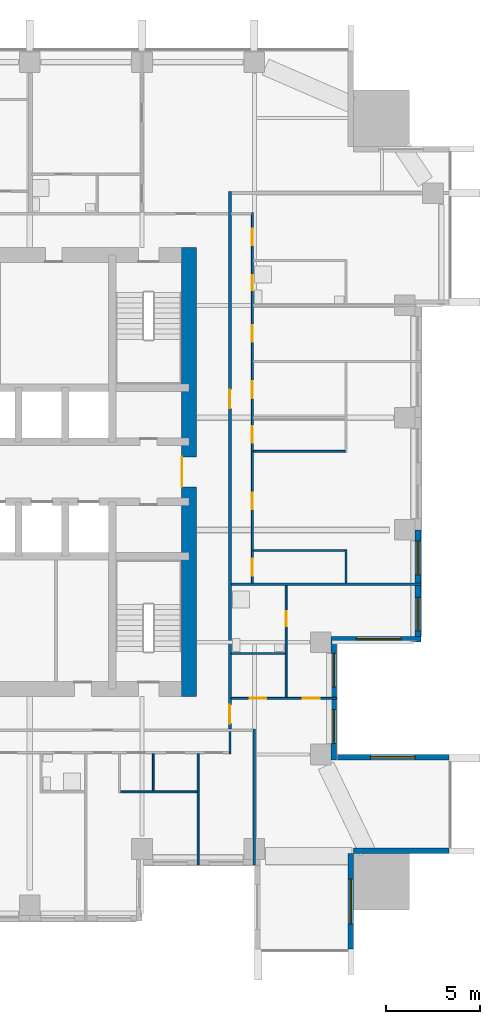
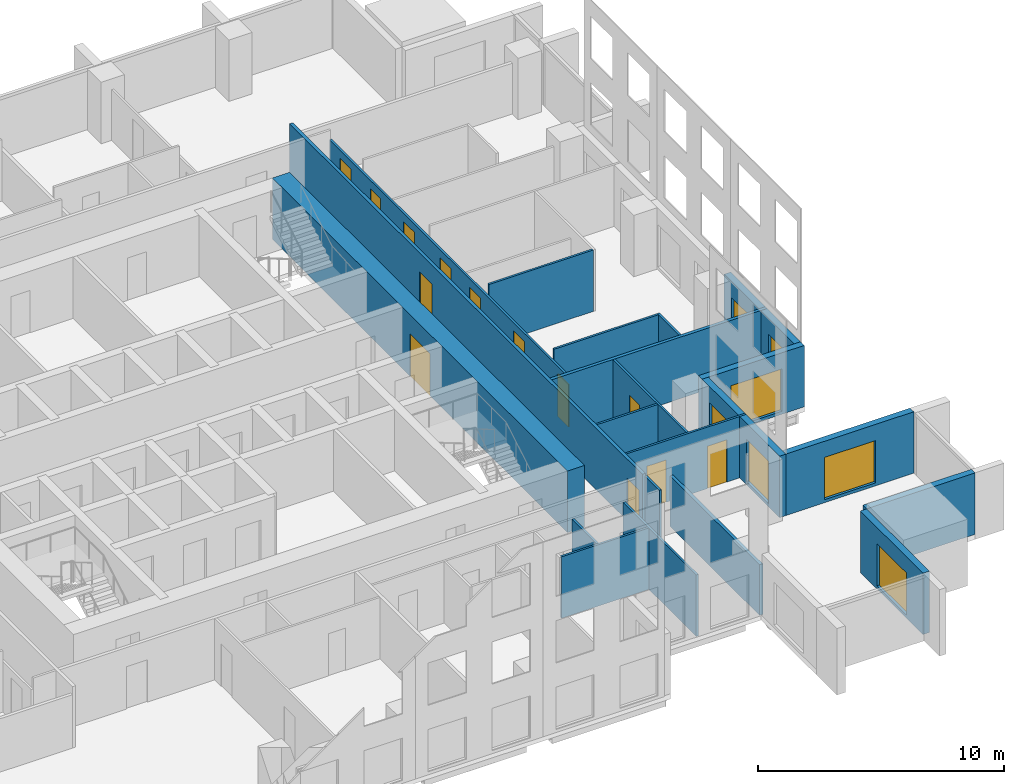
# One storey, part 6 of 13: 21 walls, 13 doors, 7 windows, 20 openings.
"""IFC4 building model written with IfcOpenShell, lengths in metres."""

from ifc_helpers import new_model, si_unit, direction, frame, frame_2d, origin, place, context, subcontext, project, spatial, rectangle, extrude, material, layer, layer_set, type_object, element, fill, save


model = new_model("IFC4")

# Units and contexts
model_context = context("Model", 3, precision=1e-05, world=origin(), true_north=direction((0.0, 1.0)))
body_context = subcontext(model_context, "Body", "Model", "MODEL_VIEW")
ifc_project = project(units=[si_unit("LENGTHUNIT", "METRE"), si_unit("AREAUNIT", "SQUARE_METRE"), si_unit("VOLUMEUNIT", "CUBIC_METRE"), si_unit("PLANEANGLEUNIT", "RADIAN"), si_unit("MASSUNIT", "GRAM", prefix="KILO")], contexts=[model_context])

# Site, building, storey
site_placement = place(None, origin())
site = spatial("IfcSite", under=ifc_project, at=site_placement, CompositionType="ELEMENT")
building_placement = place(site_placement, origin())
building = spatial("IfcBuilding", under=site, at=building_placement, Name="Amberfall Residences", CompositionType="ELEMENT")
storey_placement = place(building_placement, frame((0.0, 0.0, 78.699951171875)))
storey = spatial("IfcBuildingStorey", under=building, at=storey_placement, Name="L20", CompositionType="ELEMENT", Elevation=78.699951171875)

# Wall, opening, window
ifc_material_1 = material(Name="Pale stone cladding on insulated backing", Category="masonry")
ifc_layer_1 = layer(ifc_material_1, 0.300048828125)
ifc_layer_set_1 = layer_set([ifc_layer_1], Name="Bronze clad wall 300")
wall_type_1 = type_object("IfcWallType", Name="Bronze clad wall 300", PredefinedType="SOLIDWALL", material=ifc_layer_set_1)
wall_1_placement = place(storey_placement, frame((94.75, 20.0, 0.0), z_axis=(0.0, 0.0, 1.0), x_axis=(0.0, 1.0, 0.0)))
wall_1 = element("IfcWall", 1, at=wall_1_placement, inside=storey, type_object=wall_type_1, Name="External wall L20 SE", PredefinedType="SOLIDWALL", context=body_context, shape_type="SweptSolid", body=[
    extrude(rectangle(XDim=5.10009765625, YDim=0.300048828125, at=frame_2d((2.550048828125, 0.0))), origin(), (0.0, 0.0, 1.0), 3.050048828125),
])
opening_1_placement = place(wall_1_placement, frame((1.35009765625, 0.0, 0.14990234375)))
opening_1 = element("IfcOpeningElement", 2, at=opening_1_placement, cuts=wall_1, Name="Opening WN5", PredefinedType="OPENING", context=body_context, shape_type="SweptSolid", body=[
    extrude(rectangle(XDim=2.39990234375, YDim=2.10009765625, at=frame_2d((1.199951171875, 1.050048828125))), frame((0.0, 0.159912109375, 0.0), z_axis=(0.0, -1.0, 0.0), x_axis=(1.0, 0.0, 0.0)), (0.0, 0.0, 1.0), 0.320068359375),
])
ifc_material_2 = material(Name="Bronze aluminium framed glazing", Category="aluminium")
window_type_1 = type_object("IfcWindowType", Name="Glazed opening 2400 x 2100 bronze", PartitioningType="DOUBLE_PANEL_VERTICAL", PredefinedType="WINDOW", material=ifc_material_2)
window_1_placement = place(opening_1_placement, origin())
window_1 = element("IfcWindow", 3, at=window_1_placement, inside=storey, type_object=window_type_1, Name="Window L20 SE", OverallHeight=2.10009765625, OverallWidth=2.39990234375, PartitioningType="DOUBLE_PANEL_VERTICAL", PredefinedType="WINDOW", context=body_context, shape_type="SweptSolid", body=[
    extrude(rectangle(XDim=2.39990234375, YDim=2.10009765625, at=frame_2d((1.199951171875, 1.050048828125))), frame((0.0, 0.030029296875, 0.0), z_axis=(0.0, -1.0, 0.0), x_axis=(1.0, 0.0, 0.0)), (0.0, 0.0, 1.0), 0.06005859375),
])
fill(opening_1, window_1)

# Wall
wall_2_placement = place(storey_placement, frame((94.89990234375, 25.25, 0.0), z_axis=(0.0, 0.0, 1.0), x_axis=(1.0, 0.0, 0.0)))
element("IfcWall", 4, at=wall_2_placement, inside=storey, type_object=wall_type_1, Name="External wall L20 SE", PredefinedType="SOLIDWALL", context=body_context, shape_type="SweptSolid", body=[
    extrude(rectangle(XDim=5.10009765625, YDim=0.300048828125, at=frame_2d((2.550048828125, 0.0))), origin(), (0.0, 0.0, 1.0), 3.050048828125),
])

# Wall, opening, window
wall_3_placement = place(storey_placement, frame((100.0, 30.25, 0.0), z_axis=(0.0, 0.0, 1.0), x_axis=(-1.0, 0.0, 0.0)))
wall_3 = element("IfcWall", 5, at=wall_3_placement, inside=storey, type_object=wall_type_1, Name="External wall L20 E", PredefinedType="SOLIDWALL", context=body_context, shape_type="SweptSolid", body=[
    extrude(rectangle(XDim=6.0, YDim=0.300048828125, at=frame_2d((3.0, 0.0))), origin(), (0.0, 0.0, 1.0), 3.050048828125),
])
opening_2_placement = place(wall_3_placement, frame((1.800048828125, 0.0, 0.14990234375)))
opening_2 = element("IfcOpeningElement", 6, at=opening_2_placement, cuts=wall_3, Name="Opening WN5", PredefinedType="OPENING", context=body_context, shape_type="SweptSolid", body=[
    extrude(rectangle(XDim=2.39990234375, YDim=2.10009765625, at=frame_2d((1.199951171875, 1.050048828125))), frame((0.0, 0.159912109375, 0.0), z_axis=(0.0, -1.0, 0.0), x_axis=(1.0, 0.0, 0.0)), (0.0, 0.0, 1.0), 0.320068359375),
])
window_2_placement = place(opening_2_placement, origin())
window_2 = element("IfcWindow", 7, at=window_2_placement, inside=storey, type_object=window_type_1, Name="Window L20 E", OverallHeight=2.10009765625, OverallWidth=2.39990234375, PartitioningType="DOUBLE_PANEL_VERTICAL", PredefinedType="WINDOW", context=body_context, shape_type="SweptSolid", body=[
    extrude(rectangle(XDim=2.39990234375, YDim=2.10009765625, at=frame_2d((1.199951171875, 1.050048828125))), frame((0.0, 0.030029296875, 0.0), z_axis=(0.0, -1.0, 0.0), x_axis=(1.0, 0.0, 0.0)), (0.0, 0.0, 1.0), 0.06005859375),
])
fill(opening_2, window_2)

wall_4_placement = place(storey_placement, frame((93.699951171875, 36.550048828125, 0.0), z_axis=(0.0, 0.0, 1.0), x_axis=(1.0, 0.0, 0.0)))
wall_4 = element("IfcWall", 8, at=wall_4_placement, inside=storey, type_object=wall_type_1, Name="External wall L20 E", PredefinedType="SOLIDWALL", context=body_context, shape_type="SweptSolid", body=[
    extrude(rectangle(XDim=4.800048828125, YDim=0.300048828125, at=frame_2d((2.39990234375, 0.0))), origin(), (0.0, 0.0, 1.0), 3.050048828125),
])
opening_3_placement = place(wall_4_placement, frame((1.35009765625, 0.0, 0.14990234375)))
opening_3 = element("IfcOpeningElement", 9, at=opening_3_placement, cuts=wall_4, Name="Opening WN5", PredefinedType="OPENING", context=body_context, shape_type="SweptSolid", body=[
    extrude(rectangle(XDim=2.39990234375, YDim=2.10009765625, at=frame_2d((1.199951171875, 1.050048828125))), frame((0.0, 0.159912109375, 0.0), z_axis=(0.0, -1.0, 0.0), x_axis=(1.0, 0.0, 0.0)), (0.0, 0.0, 1.0), 0.320068359375),
])
window_3_placement = place(opening_3_placement, origin())
window_3 = element("IfcWindow", 10, at=window_3_placement, inside=storey, type_object=window_type_1, Name="Window L20 E", OverallHeight=2.10009765625, OverallWidth=2.39990234375, PartitioningType="DOUBLE_PANEL_VERTICAL", PredefinedType="WINDOW", context=body_context, shape_type="SweptSolid", body=[
    extrude(rectangle(XDim=2.39990234375, YDim=2.10009765625, at=frame_2d((1.199951171875, 1.050048828125))), frame((0.0, 0.030029296875, 0.0), z_axis=(0.0, -1.0, 0.0), x_axis=(1.0, 0.0, 0.0)), (0.0, 0.0, 1.0), 0.06005859375),
])
fill(opening_3, window_3)

# Wall, openings, windows
wall_5_placement = place(storey_placement, frame((93.85009765625, 30.10009765625, 0.0), z_axis=(0.0, 0.0, 1.0), x_axis=(0.0, 1.0, 0.0)))
wall_5 = element("IfcWall", 11, at=wall_5_placement, inside=storey, type_object=wall_type_1, Name="Stone wall L20 E", PredefinedType="SOLIDWALL", context=body_context, shape_type="SweptSolid", body=[
    extrude(rectangle(XDim=6.2998046875, YDim=0.300048828125, at=frame_2d((3.14990234375, 0.0))), origin(), (0.0, 0.0, 1.0), 3.050048828125),
])
opening_4_placement = place(wall_5_placement, frame((0.89990234375, 0.0, 0.14990234375)))
opening_4 = element("IfcOpeningElement", 12, at=opening_4_placement, cuts=wall_5, Name="Opening WN6", PredefinedType="OPENING", context=body_context, shape_type="SweptSolid", body=[
    extrude(rectangle(XDim=1.800048828125, YDim=2.10009765625, at=frame_2d((0.89990234375, 1.050048828125))), frame((0.0, 0.159912109375, 0.0), z_axis=(0.0, -1.0, 0.0), x_axis=(1.0, 0.0, 0.0)), (0.0, 0.0, 1.0), 0.320068359375),
])
opening_5_placement = place(wall_5_placement, frame((3.89990234375, 0.0, 0.14990234375)))
opening_5 = element("IfcOpeningElement", 13, at=opening_5_placement, cuts=wall_5, Name="Opening WN6", PredefinedType="OPENING", context=body_context, shape_type="SweptSolid", body=[
    extrude(rectangle(XDim=1.800048828125, YDim=2.10009765625, at=frame_2d((0.89990234375, 1.050048828125))), frame((0.0, 0.159912109375, 0.0), z_axis=(0.0, -1.0, 0.0), x_axis=(1.0, 0.0, 0.0)), (0.0, 0.0, 1.0), 0.320068359375),
])
window_type_2 = type_object("IfcWindowType", Name="Glazed opening 1800 x 2100 bronze", PartitioningType="DOUBLE_PANEL_VERTICAL", PredefinedType="WINDOW", material=ifc_material_2)
window_4_placement = place(opening_4_placement, origin())
window_4 = element("IfcWindow", 14, at=window_4_placement, inside=storey, type_object=window_type_2, Name="Window L20 E", OverallHeight=2.10009765625, OverallWidth=1.800048828125, PartitioningType="DOUBLE_PANEL_VERTICAL", PredefinedType="WINDOW", context=body_context, shape_type="SweptSolid", body=[
    extrude(rectangle(XDim=1.800048828125, YDim=2.10009765625, at=frame_2d((0.89990234375, 1.050048828125))), frame((0.0, 0.030029296875, 0.0), z_axis=(0.0, -1.0, 0.0), x_axis=(1.0, 0.0, 0.0)), (0.0, 0.0, 1.0), 0.06005859375),
])
fill(opening_4, window_4)
window_5_placement = place(opening_5_placement, origin())
window_5 = element("IfcWindow", 15, at=window_5_placement, inside=storey, type_object=window_type_2, Name="Window L20 E", OverallHeight=2.10009765625, OverallWidth=1.800048828125, PartitioningType="DOUBLE_PANEL_VERTICAL", PredefinedType="WINDOW", context=body_context, shape_type="SweptSolid", body=[
    extrude(rectangle(XDim=1.800048828125, YDim=2.10009765625, at=frame_2d((0.89990234375, 1.050048828125))), frame((0.0, 0.030029296875, 0.0), z_axis=(0.0, -1.0, 0.0), x_axis=(1.0, 0.0, 0.0)), (0.0, 0.0, 1.0), 0.06005859375),
])
fill(opening_5, window_5)

wall_6_placement = place(storey_placement, frame((98.35009765625, 36.699951171875, 0.0), z_axis=(0.0, 0.0, 1.0), x_axis=(0.0, 1.0, 0.0)))
wall_6 = element("IfcWall", 16, at=wall_6_placement, inside=storey, type_object=wall_type_1, Name="Stone wall L20 E", PredefinedType="SOLIDWALL", context=body_context, shape_type="SweptSolid", body=[
    extrude(rectangle(XDim=5.699951171875, YDim=0.300048828125, at=frame_2d((2.85009765625, 0.0))), origin(), (0.0, 0.0, 1.0), 3.050048828125),
])
opening_6_placement = place(wall_6_placement, frame((0.300048828125, 0.0, 0.14990234375)))
opening_6 = element("IfcOpeningElement", 17, at=opening_6_placement, cuts=wall_6, Name="Opening WN6", PredefinedType="OPENING", context=body_context, shape_type="SweptSolid", body=[
    extrude(rectangle(XDim=1.800048828125, YDim=2.10009765625, at=frame_2d((0.89990234375, 1.050048828125))), frame((0.0, 0.159912109375, 0.0), z_axis=(0.0, -1.0, 0.0), x_axis=(1.0, 0.0, 0.0)), (0.0, 0.0, 1.0), 0.320068359375),
])
opening_7_placement = place(wall_6_placement, frame((3.300048828125, 0.0, 0.14990234375)))
opening_7 = element("IfcOpeningElement", 18, at=opening_7_placement, cuts=wall_6, Name="Opening WN6", PredefinedType="OPENING", context=body_context, shape_type="SweptSolid", body=[
    extrude(rectangle(XDim=1.800048828125, YDim=2.10009765625, at=frame_2d((0.89990234375, 1.050048828125))), frame((0.0, 0.159912109375, 0.0), z_axis=(0.0, -1.0, 0.0), x_axis=(1.0, 0.0, 0.0)), (0.0, 0.0, 1.0), 0.320068359375),
])
window_6_placement = place(opening_6_placement, origin())
window_6 = element("IfcWindow", 19, at=window_6_placement, inside=storey, type_object=window_type_2, Name="Window L20 E", OverallHeight=2.10009765625, OverallWidth=1.800048828125, PartitioningType="DOUBLE_PANEL_VERTICAL", PredefinedType="WINDOW", context=body_context, shape_type="SweptSolid", body=[
    extrude(rectangle(XDim=1.800048828125, YDim=2.10009765625, at=frame_2d((0.89990234375, 1.050048828125))), frame((0.0, 0.030029296875, 0.0), z_axis=(0.0, -1.0, 0.0), x_axis=(1.0, 0.0, 0.0)), (0.0, 0.0, 1.0), 0.06005859375),
])
fill(opening_6, window_6)
window_7_placement = place(opening_7_placement, origin())
window_7 = element("IfcWindow", 20, at=window_7_placement, inside=storey, type_object=window_type_2, Name="Window L20 E", OverallHeight=2.10009765625, OverallWidth=1.800048828125, PartitioningType="DOUBLE_PANEL_VERTICAL", PredefinedType="WINDOW", context=body_context, shape_type="SweptSolid", body=[
    extrude(rectangle(XDim=1.800048828125, YDim=2.10009765625, at=frame_2d((0.89990234375, 1.050048828125))), frame((0.0, 0.030029296875, 0.0), z_axis=(0.0, -1.0, 0.0), x_axis=(1.0, 0.0, 0.0)), (0.0, 0.0, 1.0), 0.06005859375),
])
fill(opening_7, window_7)

# Wall, opening, door
ifc_material_3 = material(Name="Concrete C70", Category="concrete")
ifc_layer_2 = layer(ifc_material_3, 0.800048828125)
ifc_layer_set_2 = layer_set([ifc_layer_2], Name="Core wall 800 C70")
wall_type_2 = type_object("IfcWallType", Name="Core wall 800 C70", PredefinedType="SHEAR", material=ifc_layer_set_2)
wall_7_placement = place(storey_placement, frame((86.10009765625, 33.5, 0.0), z_axis=(0.0, 0.0, 1.0), x_axis=(0.0, 1.0, 0.0)))
wall_7 = element("IfcWall", 21, at=wall_7_placement, inside=storey, type_object=wall_type_2, Name="Core wall RW3 L20 OE", PredefinedType="SHEAR", context=body_context, shape_type="SweptSolid", body=[
    extrude(rectangle(XDim=24.0, YDim=0.800048828125, at=frame_2d((12.0, 0.0))), origin(), (0.0, 0.0, 1.0), 3.050048828125),
])
opening_8_placement = place(wall_7_placement, frame((11.199951171875, 0.0, 0.0)))
opening_8 = element("IfcOpeningElement", 22, at=opening_8_placement, cuts=wall_7, Name="Opening LB1", PredefinedType="OPENING", context=body_context, shape_type="SweptSolid", body=[
    extrude(rectangle(XDim=1.60009765625, YDim=2.10009765625, at=frame_2d((0.800048828125, 1.050048828125))), frame((0.0, 0.409912109375, 0.0), z_axis=(0.0, -1.0, 0.0), x_axis=(1.0, 0.0, 0.0)), (0.0, 0.0, 1.0), 0.820068359375),
])
ifc_material_4 = material(Name="Steel fire door set", Category="steel")
door_type_1 = type_object("IfcDoorType", Name="Lift lobby double door 1600 x 2100", OperationType="DOUBLE_DOOR_SINGLE_SWING", PredefinedType="DOOR", material=ifc_material_4)
door_1_placement = place(opening_8_placement, origin())
door_1 = element("IfcDoor", 23, at=door_1_placement, inside=storey, type_object=door_type_1, Name="LB1 L20", OperationType="DOUBLE_DOOR_SINGLE_SWING", OverallHeight=2.10009765625, OverallWidth=1.60009765625, PredefinedType="DOOR", context=body_context, shape_type="SweptSolid", body=[
    extrude(rectangle(XDim=1.60009765625, YDim=2.10009765625, at=frame_2d((0.800048828125, 1.050048828125))), frame((0.0, 0.3876953125, 0.0), z_axis=(0.0, -1.0, 0.0), x_axis=(1.0, 0.0, 0.0)), (0.0, 0.0, 1.0), 0.050048828125),
])
fill(opening_8, door_1)

# Walls
ifc_material_5 = material(Name="Gypsum board on metal stud")
ifc_layer_3 = layer(ifc_material_5, 0.10009765625)
ifc_layer_set_3 = layer_set([ifc_layer_3], Name="Flat partition 100")
wall_type_3 = type_object("IfcWallType", Name="Flat partition 100", PredefinedType="PARTITIONING", material=ifc_layer_set_3)
wall_8_placement = place(storey_placement, frame((84.199951171875, 28.449951171875, 0.0), z_axis=(0.0, 0.0, 1.0), x_axis=(0.0, 1.0, 0.0)))
element("IfcWall", 24, at=wall_8_placement, inside=storey, type_object=wall_type_3, Name="Partition 018", PredefinedType="PARTITIONING", context=body_context, shape_type="SweptSolid", body=[
    extrude(rectangle(XDim=2.0, YDim=0.10009765625, at=frame_2d((1.0, 0.0))), origin(), (0.0, 0.0, 1.0), 3.050048828125),
])
wall_9_placement = place(storey_placement, frame((86.60009765625, 24.5, 0.0), z_axis=(0.0, 0.0, 1.0), x_axis=(0.0, 1.0, 0.0)))
element("IfcWall", 25, at=wall_9_placement, inside=storey, type_object=wall_type_3, Name="Partition 019", PredefinedType="PARTITIONING", context=body_context, shape_type="SweptSolid", body=[
    extrude(rectangle(XDim=5.949951171875, YDim=0.10009765625, at=frame_2d((2.97509765625, 0.0))), origin(), (0.0, 0.0, 1.0), 3.050048828125),
])
wall_10_placement = place(storey_placement, frame((88.300048828125, 30.449951171875, 0.0), z_axis=(0.0, 0.0, 1.0), x_axis=(0.0, 1.0, 0.0)))
element("IfcWall", 26, at=wall_10_placement, inside=storey, type_object=wall_type_3, Name="Partition 020", PredefinedType="PARTITIONING", context=body_context, shape_type="SweptSolid", body=[
    extrude(rectangle(XDim=1.175048828125, YDim=0.10009765625, at=frame_2d((0.58740234375, 0.0))), origin(), (0.0, 0.0, 1.0), 3.050048828125),
])

# Wall, openings, doors
wall_11_placement = place(storey_placement, frame((89.5, 59.35009765625, 0.0), z_axis=(0.0, 0.0, 1.0), x_axis=(0.0, -1.0, 0.0)))
wall_11 = element("IfcWall", 27, at=wall_11_placement, inside=storey, type_object=wall_type_3, Name="Partition 021", PredefinedType="PARTITIONING", context=body_context, shape_type="SweptSolid", body=[
    extrude(rectangle(XDim=19.775146484375, YDim=0.10009765625, at=frame_2d((9.8876953125, 0.0))), origin(), (0.0, 0.0, 1.0), 2.510009765625),
])
opening_9_placement = place(wall_11_placement, frame((14.949951171875, 0.0, 0.0)))
opening_9 = element("IfcOpeningElement", 28, at=opening_9_placement, cuts=wall_11, Name="Opening D41", PredefinedType="OPENING", context=body_context, shape_type="SweptSolid", body=[
    extrude(rectangle(XDim=0.89990234375, YDim=2.10009765625, at=frame_2d((0.449951171875, 1.050048828125))), frame((0.0, 0.06005859375, 0.0), z_axis=(0.0, -1.0, 0.0), x_axis=(1.0, 0.0, 0.0)), (0.0, 0.0, 1.0), 0.1201171875),
])
opening_10_placement = place(wall_11_placement, frame((9.0, 0.0, 0.0)))
opening_10 = element("IfcOpeningElement", 29, at=opening_10_placement, cuts=wall_11, Name="Opening D41", PredefinedType="OPENING", context=body_context, shape_type="SweptSolid", body=[
    extrude(rectangle(XDim=0.89990234375, YDim=2.10009765625, at=frame_2d((0.449951171875, 1.050048828125))), frame((0.0, 0.06005859375, 0.0), z_axis=(0.0, -1.0, 0.0), x_axis=(1.0, 0.0, 0.0)), (0.0, 0.0, 1.0), 0.1201171875),
])
opening_11_placement = place(wall_11_placement, frame((11.39990234375, 0.0, 0.0)))
opening_11 = element("IfcOpeningElement", 30, at=opening_11_placement, cuts=wall_11, Name="Opening D41", PredefinedType="OPENING", context=body_context, shape_type="SweptSolid", body=[
    extrude(rectangle(XDim=0.89990234375, YDim=2.10009765625, at=frame_2d((0.449951171875, 1.050048828125))), frame((0.0, 0.06005859375, 0.0), z_axis=(0.0, -1.0, 0.0), x_axis=(1.0, 0.0, 0.0)), (0.0, 0.0, 1.0), 0.1201171875),
])
opening_12_placement = place(wall_11_placement, frame((18.5, 0.0, 0.0)))
opening_12 = element("IfcOpeningElement", 31, at=opening_12_placement, cuts=wall_11, Name="Opening D41", PredefinedType="OPENING", context=body_context, shape_type="SweptSolid", body=[
    extrude(rectangle(XDim=0.89990234375, YDim=2.10009765625, at=frame_2d((0.449951171875, 1.050048828125))), frame((0.0, 0.06005859375, 0.0), z_axis=(0.0, -1.0, 0.0), x_axis=(1.0, 0.0, 0.0)), (0.0, 0.0, 1.0), 0.1201171875),
])
opening_13_placement = place(wall_11_placement, frame((6.0, 0.0, 0.0)))
opening_13 = element("IfcOpeningElement", 32, at=opening_13_placement, cuts=wall_11, Name="Opening D41", PredefinedType="OPENING", context=body_context, shape_type="SweptSolid", body=[
    extrude(rectangle(XDim=0.89990234375, YDim=2.10009765625, at=frame_2d((0.449951171875, 1.050048828125))), frame((0.0, 0.06005859375, 0.0), z_axis=(0.0, -1.0, 0.0), x_axis=(1.0, 0.0, 0.0)), (0.0, 0.0, 1.0), 0.1201171875),
])
opening_14_placement = place(wall_11_placement, frame((0.85009765625, 0.0, 0.0)))
opening_14 = element("IfcOpeningElement", 33, at=opening_14_placement, cuts=wall_11, Name="Opening D41", PredefinedType="OPENING", context=body_context, shape_type="SweptSolid", body=[
    extrude(rectangle(XDim=0.89990234375, YDim=2.10009765625, at=frame_2d((0.449951171875, 1.050048828125))), frame((0.0, 0.06005859375, 0.0), z_axis=(0.0, -1.0, 0.0), x_axis=(1.0, 0.0, 0.0)), (0.0, 0.0, 1.0), 0.1201171875),
])
opening_15_placement = place(wall_11_placement, frame((3.35009765625, 0.0, 0.0)))
opening_15 = element("IfcOpeningElement", 34, at=opening_15_placement, cuts=wall_11, Name="Opening D42", PredefinedType="OPENING", context=body_context, shape_type="SweptSolid", body=[
    extrude(rectangle(XDim=0.800048828125, YDim=2.10009765625, at=frame_2d((0.39990234375, 1.050048828125))), frame((0.0, 0.06005859375, 0.0), z_axis=(0.0, -1.0, 0.0), x_axis=(1.0, 0.0, 0.0)), (0.0, 0.0, 1.0), 0.1201171875),
])
ifc_material_6 = material(Name="Timber", Category="wood")
door_type_2 = type_object("IfcDoorType", Name="Bathroom door 800 x 2100", OperationType="SINGLE_SWING_LEFT", PredefinedType="DOOR", material=ifc_material_6)
door_2_placement = place(opening_15_placement, origin())
door_2 = element("IfcDoor", 35, at=door_2_placement, inside=storey, type_object=door_type_2, Name="Door 2004 bath1", OperationType="SINGLE_SWING_LEFT", OverallHeight=2.10009765625, OverallWidth=0.800048828125, PredefinedType="DOOR", context=body_context, shape_type="SweptSolid", body=[
    extrude(rectangle(XDim=0.800048828125, YDim=2.10009765625, at=frame_2d((0.39990234375, 1.050048828125))), frame((0.0, 0.02490234375, 0.0), z_axis=(0.0, -1.0, 0.0), x_axis=(1.0, 0.0, 0.0)), (0.0, 0.0, 1.0), 0.050048828125),
])
fill(opening_15, door_2)
door_type_3 = type_object("IfcDoorType", Name="Internal door 900 x 2100", OperationType="SINGLE_SWING_LEFT", PredefinedType="DOOR", material=ifc_material_6)
door_3_placement = place(opening_9_placement, origin())
door_3 = element("IfcDoor", 36, at=door_3_placement, inside=storey, type_object=door_type_3, Name="Door 2004 living", OperationType="SINGLE_SWING_LEFT", OverallHeight=2.10009765625, OverallWidth=0.89990234375, PredefinedType="DOOR", context=body_context, shape_type="SweptSolid", body=[
    extrude(rectangle(XDim=0.89990234375, YDim=2.10009765625, at=frame_2d((0.449951171875, 1.050048828125))), frame((0.0, 0.02490234375, 0.0), z_axis=(0.0, -1.0, 0.0), x_axis=(1.0, 0.0, 0.0)), (0.0, 0.0, 1.0), 0.050048828125),
])
fill(opening_9, door_3)
door_4_placement = place(opening_10_placement, origin())
door_4 = element("IfcDoor", 37, at=door_4_placement, inside=storey, type_object=door_type_3, Name="Door 2004 kitchen", OperationType="SINGLE_SWING_LEFT", OverallHeight=2.10009765625, OverallWidth=0.89990234375, PredefinedType="DOOR", context=body_context, shape_type="SweptSolid", body=[
    extrude(rectangle(XDim=0.89990234375, YDim=2.10009765625, at=frame_2d((0.449951171875, 1.050048828125))), frame((0.0, 0.02490234375, 0.0), z_axis=(0.0, -1.0, 0.0), x_axis=(1.0, 0.0, 0.0)), (0.0, 0.0, 1.0), 0.050048828125),
])
fill(opening_10, door_4)
door_5_placement = place(opening_11_placement, origin())
door_5 = element("IfcDoor", 38, at=door_5_placement, inside=storey, type_object=door_type_3, Name="Door 2004 utility", OperationType="SINGLE_SWING_LEFT", OverallHeight=2.10009765625, OverallWidth=0.89990234375, PredefinedType="DOOR", context=body_context, shape_type="SweptSolid", body=[
    extrude(rectangle(XDim=0.89990234375, YDim=2.10009765625, at=frame_2d((0.449951171875, 1.050048828125))), frame((0.0, 0.02490234375, 0.0), z_axis=(0.0, -1.0, 0.0), x_axis=(1.0, 0.0, 0.0)), (0.0, 0.0, 1.0), 0.050048828125),
])
fill(opening_11, door_5)
door_6_placement = place(opening_12_placement, origin())
door_6 = element("IfcDoor", 39, at=door_6_placement, inside=storey, type_object=door_type_3, Name="Door 2004 store", OperationType="SINGLE_SWING_LEFT", OverallHeight=2.10009765625, OverallWidth=0.89990234375, PredefinedType="DOOR", context=body_context, shape_type="SweptSolid", body=[
    extrude(rectangle(XDim=0.89990234375, YDim=2.10009765625, at=frame_2d((0.449951171875, 1.050048828125))), frame((0.0, 0.02490234375, 0.0), z_axis=(0.0, -1.0, 0.0), x_axis=(1.0, 0.0, 0.0)), (0.0, 0.0, 1.0), 0.050048828125),
])
fill(opening_12, door_6)
door_7_placement = place(opening_13_placement, origin())
door_7 = element("IfcDoor", 40, at=door_7_placement, inside=storey, type_object=door_type_3, Name="Door 2004 bedroom1", OperationType="SINGLE_SWING_LEFT", OverallHeight=2.10009765625, OverallWidth=0.89990234375, PredefinedType="DOOR", context=body_context, shape_type="SweptSolid", body=[
    extrude(rectangle(XDim=0.89990234375, YDim=2.10009765625, at=frame_2d((0.449951171875, 1.050048828125))), frame((0.0, 0.02490234375, 0.0), z_axis=(0.0, -1.0, 0.0), x_axis=(1.0, 0.0, 0.0)), (0.0, 0.0, 1.0), 0.050048828125),
])
fill(opening_13, door_7)
door_8_placement = place(opening_14_placement, origin())
door_8 = element("IfcDoor", 41, at=door_8_placement, inside=storey, type_object=door_type_3, Name="Door 2004 bedroom2", OperationType="SINGLE_SWING_LEFT", OverallHeight=2.10009765625, OverallWidth=0.89990234375, PredefinedType="DOOR", context=body_context, shape_type="SweptSolid", body=[
    extrude(rectangle(XDim=0.89990234375, YDim=2.10009765625, at=frame_2d((0.449951171875, 1.050048828125))), frame((0.0, 0.02490234375, 0.0), z_axis=(0.0, -1.0, 0.0), x_axis=(1.0, 0.0, 0.0)), (0.0, 0.0, 1.0), 0.050048828125),
])
fill(opening_14, door_8)

# Wall, opening, door
wall_12_placement = place(storey_placement, frame((91.300048828125, 33.449951171875, 0.0), z_axis=(0.0, 0.0, 1.0), x_axis=(0.0, 1.0, 0.0)))
wall_12 = element("IfcWall", 42, at=wall_12_placement, inside=storey, type_object=wall_type_3, Name="Partition 022", PredefinedType="PARTITIONING", context=body_context, shape_type="SweptSolid", body=[
    extrude(rectangle(XDim=5.97509765625, YDim=0.10009765625, at=frame_2d((2.987548828125, 0.0))), origin(), (0.0, 0.0, 1.0), 3.050048828125),
])
opening_16_placement = place(wall_12_placement, frame((3.800048828125, 0.0, 0.0)))
opening_16 = element("IfcOpeningElement", 43, at=opening_16_placement, cuts=wall_12, Name="Opening D42", PredefinedType="OPENING", context=body_context, shape_type="SweptSolid", body=[
    extrude(rectangle(XDim=0.800048828125, YDim=2.10009765625, at=frame_2d((0.39990234375, 1.050048828125))), frame((0.0, 0.06005859375, 0.0), z_axis=(0.0, -1.0, 0.0), x_axis=(1.0, 0.0, 0.0)), (0.0, 0.0, 1.0), 0.1201171875),
])
door_9_placement = place(opening_16_placement, origin())
door_9 = element("IfcDoor", 44, at=door_9_placement, inside=storey, type_object=door_type_2, Name="Door 2003 bath1", OperationType="SINGLE_SWING_LEFT", OverallHeight=2.10009765625, OverallWidth=0.800048828125, PredefinedType="DOOR", context=body_context, shape_type="SweptSolid", body=[
    extrude(rectangle(XDim=0.800048828125, YDim=2.10009765625, at=frame_2d((0.39990234375, 1.050048828125))), frame((0.0, 0.02490234375, 0.0), z_axis=(0.0, -1.0, 0.0), x_axis=(1.0, 0.0, 0.0)), (0.0, 0.0, 1.0), 0.050048828125),
])
fill(opening_16, door_9)

# Walls
wall_13_placement = place(storey_placement, frame((94.5, 39.574951171875, 0.0), z_axis=(0.0, 0.0, 1.0), x_axis=(0.0, 1.0, 0.0)))
element("IfcWall", 45, at=wall_13_placement, inside=storey, type_object=wall_type_3, Name="Partition 023", PredefinedType="PARTITIONING", context=body_context, shape_type="SweptSolid", body=[
    extrude(rectangle(XDim=1.775146484375, YDim=0.10009765625, at=frame_2d((0.8876953125, 0.0))), origin(), (0.0, 0.0, 1.0), 3.050048828125),
])
for number, where, z_axis, x_axis, name in (
    (46, (89.550048828125, 46.60009765625, 0.0), (0.0, 0.0, 1.0), (1.0, 0.0, 0.0), "Partition 037"),
    (47, (89.550048828125, 41.300048828125, 0.0), (0.0, 0.0, 1.0), (1.0, 0.0, 0.0), "Partition 040"),
):
    element("IfcWall", number, at=place(storey_placement, frame(where, z_axis=z_axis, x_axis=x_axis)), inside=storey, type_object=wall_type_3, Name=name, PredefinedType="PARTITIONING", context=body_context, shape_type="SweptSolid", body=[
        extrude(rectangle(XDim=4.89990234375, YDim=0.10009765625, at=frame_2d((2.449951171875, 0.0))), origin(), (0.0, 0.0, 1.0), 3.050048828125),
    ])
wall_14_placement = place(storey_placement, frame((88.375, 35.800048828125, 0.0), z_axis=(0.0, 0.0, 1.0), x_axis=(1.0, 0.0, 0.0)))
element("IfcWall", 48, at=wall_14_placement, inside=storey, type_object=wall_type_3, Name="Partition 043", PredefinedType="PARTITIONING", context=body_context, shape_type="SweptSolid", body=[
    extrude(rectangle(XDim=2.875, YDim=0.10009765625, at=frame_2d((1.4375, 0.0))), origin(), (0.0, 0.0, 1.0), 3.050048828125),
])

# Wall, openings, doors
wall_15_placement = place(storey_placement, frame((88.375, 33.39990234375, 0.0), z_axis=(0.0, 0.0, 1.0), x_axis=(1.0, 0.0, 0.0)))
wall_15 = element("IfcWall", 49, at=wall_15_placement, inside=storey, type_object=wall_type_3, Name="Partition 045", PredefinedType="PARTITIONING", context=body_context, shape_type="SweptSolid", body=[
    extrude(rectangle(XDim=5.625, YDim=0.10009765625, at=frame_2d((2.8125, 0.0))), origin(), (0.0, 0.0, 1.0), 3.050048828125),
])
opening_17_placement = place(wall_15_placement, frame((0.97509765625, 0.0, 0.0)))
opening_17 = element("IfcOpeningElement", 50, at=opening_17_placement, cuts=wall_15, Name="Opening D41", PredefinedType="OPENING", context=body_context, shape_type="SweptSolid", body=[
    extrude(rectangle(XDim=0.89990234375, YDim=2.10009765625, at=frame_2d((0.449951171875, 1.050048828125))), frame((0.0, 0.06005859375, 0.0), z_axis=(0.0, -1.0, 0.0), x_axis=(1.0, 0.0, 0.0)), (0.0, 0.0, 1.0), 0.1201171875),
])
opening_18_placement = place(wall_15_placement, frame((3.824951171875, 0.0, 0.0)))
opening_18 = element("IfcOpeningElement", 51, at=opening_18_placement, cuts=wall_15, Name="Opening D41", PredefinedType="OPENING", context=body_context, shape_type="SweptSolid", body=[
    extrude(rectangle(XDim=0.89990234375, YDim=2.10009765625, at=frame_2d((0.449951171875, 1.050048828125))), frame((0.0, 0.06005859375, 0.0), z_axis=(0.0, -1.0, 0.0), x_axis=(1.0, 0.0, 0.0)), (0.0, 0.0, 1.0), 0.1201171875),
])
door_10_placement = place(opening_17_placement, origin())
door_10 = element("IfcDoor", 52, at=door_10_placement, inside=storey, type_object=door_type_3, Name="Door 2003 kitchen", OperationType="SINGLE_SWING_LEFT", OverallHeight=2.10009765625, OverallWidth=0.89990234375, PredefinedType="DOOR", context=body_context, shape_type="SweptSolid", body=[
    extrude(rectangle(XDim=0.89990234375, YDim=2.10009765625, at=frame_2d((0.449951171875, 1.050048828125))), frame((0.0, 0.02490234375, 0.0), z_axis=(0.0, -1.0, 0.0), x_axis=(1.0, 0.0, 0.0)), (0.0, 0.0, 1.0), 0.050048828125),
])
fill(opening_17, door_10)
door_11_placement = place(opening_18_placement, origin())
door_11 = element("IfcDoor", 53, at=door_11_placement, inside=storey, type_object=door_type_3, Name="Door 2003 bedroom1", OperationType="SINGLE_SWING_LEFT", OverallHeight=2.10009765625, OverallWidth=0.89990234375, PredefinedType="DOOR", context=body_context, shape_type="SweptSolid", body=[
    extrude(rectangle(XDim=0.89990234375, YDim=2.10009765625, at=frame_2d((0.449951171875, 1.050048828125))), frame((0.0, 0.02490234375, 0.0), z_axis=(0.0, -1.0, 0.0), x_axis=(1.0, 0.0, 0.0)), (0.0, 0.0, 1.0), 0.050048828125),
])
fill(opening_18, door_11)

# Wall
wall_16_placement = place(storey_placement, frame((82.449951171875, 28.39990234375, 0.0), z_axis=(0.0, 0.0, 1.0), x_axis=(1.0, 0.0, 0.0)))
element("IfcWall", 54, at=wall_16_placement, inside=storey, type_object=wall_type_3, Name="Partition 050", PredefinedType="PARTITIONING", context=body_context, shape_type="SweptSolid", body=[
    extrude(rectangle(XDim=4.10009765625, YDim=0.10009765625, at=frame_2d((2.050048828125, 0.0))), origin(), (0.0, 0.0, 1.0), 3.050048828125),
])

# Wall, openings, doors
ifc_material_7 = material(Name="Blockwork, plastered", Category="masonry")
ifc_layer_4 = layer(ifc_material_7, 0.14990234375)
ifc_layer_set_4 = layer_set([ifc_layer_4], Name="Flat separating wall 150")
wall_type_4 = type_object("IfcWallType", Name="Flat separating wall 150", PredefinedType="PARTITIONING", material=ifc_layer_set_4)
wall_17_placement = place(storey_placement, frame((88.300048828125, 60.47509765625, 0.0), z_axis=(0.0, 0.0, 1.0), x_axis=(0.0, -1.0, 0.0)))
wall_17 = element("IfcWall", 55, at=wall_17_placement, inside=storey, type_object=wall_type_4, Name="Separating wall 055", PredefinedType="PARTITIONING", context=body_context, shape_type="SweptSolid", body=[
    extrude(rectangle(XDim=28.7001953125, YDim=0.14990234375, at=frame_2d((14.35009765625, 0.0))), origin(), (0.0, 0.0, 1.0), 3.050048828125),
])
opening_19_placement = place(wall_17_placement, frame((27.425048828125, 0.0, 0.0)))
opening_19 = element("IfcOpeningElement", 56, at=opening_19_placement, cuts=wall_17, Name="Opening D40", PredefinedType="OPENING", context=body_context, shape_type="SweptSolid", body=[
    extrude(rectangle(XDim=1.0, YDim=2.10009765625, at=frame_2d((0.5, 1.050048828125))), frame((0.0, 0.0849609375, 0.0), z_axis=(0.0, -1.0, 0.0), x_axis=(1.0, 0.0, 0.0)), (0.0, 0.0, 1.0), 0.169921875),
])
opening_20_placement = place(wall_17_placement, frame((10.574951171875, 0.0, 0.0)))
opening_20 = element("IfcOpeningElement", 57, at=opening_20_placement, cuts=wall_17, Name="Opening D40", PredefinedType="OPENING", context=body_context, shape_type="SweptSolid", body=[
    extrude(rectangle(XDim=1.0, YDim=2.10009765625, at=frame_2d((0.5, 1.050048828125))), frame((0.0, 0.0849609375, 0.0), z_axis=(0.0, -1.0, 0.0), x_axis=(1.0, 0.0, 0.0)), (0.0, 0.0, 1.0), 0.169921875),
])
ifc_material_8 = material(Name="Timber, fire-rated", Category="wood")
door_type_4 = type_object("IfcDoorType", Name="Flat entrance door FD60 1000 x 2100", OperationType="SINGLE_SWING_LEFT", PredefinedType="DOOR", material=ifc_material_8)
door_12_placement = place(opening_19_placement, origin())
door_12 = element("IfcDoor", 58, at=door_12_placement, inside=storey, type_object=door_type_4, Name="Door 2003 entrance", OperationType="SINGLE_SWING_LEFT", OverallHeight=2.10009765625, OverallWidth=1.0, PredefinedType="DOOR", context=body_context, shape_type="SweptSolid", body=[
    extrude(rectangle(XDim=1.0, YDim=2.10009765625, at=frame_2d((0.5, 1.050048828125))), frame((0.0, 0.02490234375, 0.0), z_axis=(0.0, -1.0, 0.0), x_axis=(1.0, 0.0, 0.0)), (0.0, 0.0, 1.0), 0.050048828125),
])
fill(opening_19, door_12)
door_13_placement = place(opening_20_placement, origin())
door_13 = element("IfcDoor", 59, at=door_13_placement, inside=storey, type_object=door_type_4, Name="Door 2004 entrance", OperationType="SINGLE_SWING_LEFT", OverallHeight=2.10009765625, OverallWidth=1.0, PredefinedType="DOOR", context=body_context, shape_type="SweptSolid", body=[
    extrude(rectangle(XDim=1.0, YDim=2.10009765625, at=frame_2d((0.5, 1.050048828125))), frame((0.0, 0.02490234375, 0.0), z_axis=(0.0, -1.0, 0.0), x_axis=(1.0, 0.0, 0.0)), (0.0, 0.0, 1.0), 0.050048828125),
])
fill(opening_20, door_13)

# Walls
wall_18_placement = place(storey_placement, frame((89.60009765625, 24.5, 0.0), z_axis=(0.0, 0.0, 1.0), x_axis=(0.0, 1.0, 0.0)))
element("IfcWall", 60, at=wall_18_placement, inside=storey, type_object=wall_type_4, Name="Separating wall 056", PredefinedType="PARTITIONING", context=body_context, shape_type="SweptSolid", body=[
    extrude(rectangle(XDim=7.27490234375, YDim=0.14990234375, at=frame_2d((3.637451171875, 0.0))), origin(), (0.0, 0.0, 1.0), 2.51611328125),
])
wall_19_placement = place(storey_placement, frame((88.375, 39.5, 0.0), z_axis=(0.0, 0.0, 1.0), x_axis=(1.0, 0.0, 0.0)))
element("IfcWall", 61, at=wall_19_placement, inside=storey, type_object=wall_type_4, Name="Separating wall 060", PredefinedType="PARTITIONING", context=body_context, shape_type="SweptSolid", body=[
    extrude(rectangle(XDim=10.125, YDim=0.14990234375, at=frame_2d((5.0625, 0.0))), origin(), (0.0, 0.0, 1.0), 3.050048828125),
])

save(model, "model.ifc")
